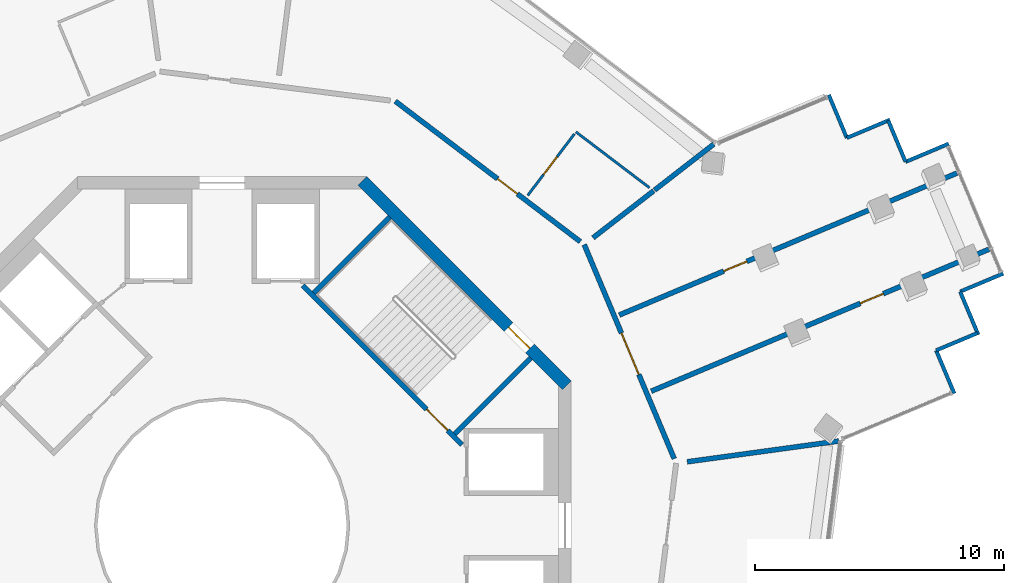
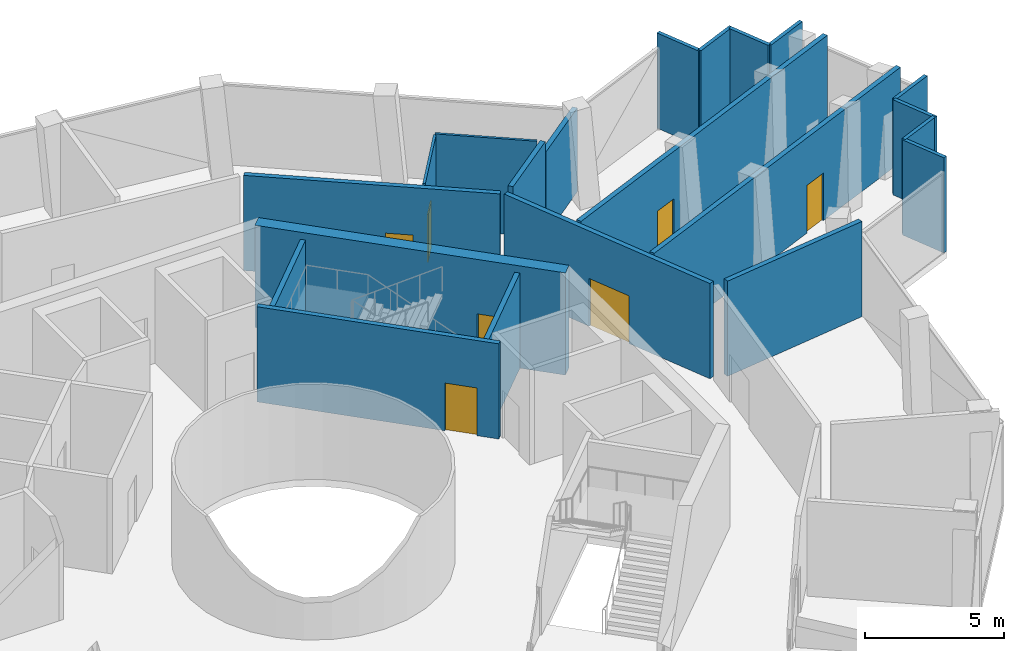
# One storey, part 15 of 18: 21 walls, 7 doors, 7 openings.
"""IFC4 building model written with IfcOpenShell, lengths in metres."""

from ifc_helpers import new_model, si_unit, direction, frame, frame_2d, origin, place, context, subcontext, project, spatial, rectangle, extrude, material, layer, layer_set, type_object, element, fill, save


model = new_model("IFC4")

# Units and contexts
model_context = context("Model", 3, precision=1e-05, world=origin(), true_north=direction((0.0, 1.0)))
body_context = subcontext(model_context, "Body", "Model", "MODEL_VIEW")
ifc_project = project(units=[si_unit("LENGTHUNIT", "METRE"), si_unit("AREAUNIT", "SQUARE_METRE"), si_unit("VOLUMEUNIT", "CUBIC_METRE"), si_unit("PLANEANGLEUNIT", "RADIAN"), si_unit("MASSUNIT", "GRAM", prefix="KILO")], contexts=[model_context])

# Site, building, storey
site_placement = place(None, origin())
site = spatial("IfcSite", under=ifc_project, at=site_placement, CompositionType="ELEMENT")
building_placement = place(site_placement, origin())
building = spatial("IfcBuilding", under=site, at=building_placement, Name="Verdalira Terraces Hotel", CompositionType="ELEMENT")
storey_placement = place(building_placement, frame((0.0, 0.0, 248.0)))
storey = spatial("IfcBuildingStorey", under=building, at=storey_placement, Name="L61", CompositionType="ELEMENT", Elevation=248.0)

# Wall, opening, door
ifc_material_1 = material(Name="Moisture-resistant gypsum board partition")
ifc_layer_1 = layer(ifc_material_1, 0.10009765625)
ifc_layer_set_1 = layer_set([ifc_layer_1], Name="Bathroom partition 100 mm")
wall_type_1 = type_object("IfcWallType", Name="Bathroom partition 100 mm", PredefinedType="PARTITIONING", material=ifc_layer_set_1)
wall_1_placement = place(storey_placement, frame((14.132324, 15.710449, 0.0), z_axis=(0.0, 0.0, 1.0), x_axis=(-0.604551951, -0.796565715, 0.0)))
wall_1 = element("IfcWall", 1, at=wall_1_placement, inside=storey, type_object=wall_type_1, Name="Bathroom partition", PredefinedType="PARTITIONING", context=body_context, shape_type="SweptSolid", body=[
    extrude(rectangle(XDim=3.099854, YDim=0.100098, at=frame_2d((1.549805, 0.0))), origin(), (0.0, 0.0, 1.0), 4.189941),
])
opening_1_placement = place(wall_1_placement, frame((1.149902, 0.0, 0.0)))
opening_1 = element("IfcOpeningElement", 2, at=opening_1_placement, cuts=wall_1, Name="Opening L61-119", PredefinedType="OPENING", context=body_context, shape_type="SweptSolid", body=[
    extrude(rectangle(XDim=0.899902, YDim=2.100098, at=frame_2d((0.449951, 1.050049))), frame((0.0, 0.060059, 0.0), z_axis=(0.0, -1.0, 0.0), x_axis=(1.0, 0.0, 0.0)), (0.0, 0.0, 1.0), 0.120117),
])
ifc_material_2 = material(Name="Timber door", Category="wood")
door_type_1 = type_object("IfcDoorType", Name="Bathroom door 900 x 2100", OperationType="NOTDEFINED", PredefinedType="DOOR", material=ifc_material_2)
door_1_placement = place(opening_1_placement, origin())
door_1 = element("IfcDoor", 3, at=door_1_placement, inside=storey, type_object=door_type_1, Name="Bathroom door 6109", OperationType="SINGLE_SWING_LEFT", OverallHeight=2.10009765625, OverallWidth=0.89990234375, PredefinedType="DOOR", context=body_context, shape_type="SweptSolid", body=[
    extrude(rectangle(XDim=0.899902, YDim=2.100098, at=frame_2d((0.449951, 1.050049))), frame((0.0, 0.024902, 0.0), z_axis=(0.0, -1.0, 0.0), x_axis=(1.0, 0.0, 0.0)), (0.0, 0.0, 1.0), 0.050049),
])
fill(opening_1, door_1)

# Wall
wall_2_placement = place(storey_placement, frame((14.192871, 15.790283, 0.0), z_axis=(0.0, 0.0, 1.0), x_axis=(0.796530371, -0.604598518, 0.0)))
element("IfcWall", 4, at=wall_2_placement, inside=storey, type_object=wall_type_1, Name="Bathroom partition", PredefinedType="PARTITIONING", context=body_context, shape_type="SweptSolid", body=[
    extrude(rectangle(XDim=3.704102, YDim=0.100098, at=frame_2d((1.852051, 0.0))), origin(), (0.0, 0.0, 1.0), 4.189941),
])

# Wall, opening, door
ifc_material_3 = material(Name="Concrete C50", Category="concrete")
ifc_layer_2 = layer(ifc_material_3, 0.199951171875)
ifc_layer_set_2 = layer_set([ifc_layer_2], Name="Core RC wall 200 C50")
wall_type_2 = type_object("IfcWallType", Name="Core RC wall 200 C50", PredefinedType="SOLIDWALL", material=ifc_layer_set_2)
wall_3_placement = place(storey_placement, frame((3.23999, 9.629395, 0.0), z_axis=(0.0, 0.0, 1.0), x_axis=(0.707106781, -0.707106781, 0.0)))
wall_3 = element("IfcWall", 5, at=wall_3_placement, inside=storey, type_object=wall_type_2, Name="L61 stair ST1 front wall", PredefinedType="SOLIDWALL", context=body_context, shape_type="SweptSolid", body=[
    extrude(rectangle(XDim=9.035889, YDim=0.199951, at=frame_2d((4.518066, 0.0))), origin(), (0.0, 0.0, 1.0), 4.189941),
])
opening_2_placement = place(wall_3_placement, frame((7.017822, 0.0, 0.0)))
opening_2 = element("IfcOpeningElement", 6, at=opening_2_placement, cuts=wall_3, Name="Opening L61-810", PredefinedType="OPENING", context=body_context, shape_type="SweptSolid", body=[
    extrude(rectangle(XDim=1.199951, YDim=2.100098, at=frame_2d((0.600098, 1.050049))), frame((0.0, 0.109863, 0.0), z_axis=(0.0, -1.0, 0.0), x_axis=(1.0, 0.0, 0.0)), (0.0, 0.0, 1.0), 0.219971),
])
ifc_material_4 = material(Name="Steel fire door", Category="steel")
door_type_2 = type_object("IfcDoorType", Name="Stair door 1200 x 2100", OperationType="NOTDEFINED", PredefinedType="DOOR", material=ifc_material_4)
door_2_placement = place(opening_2_placement, origin())
door_2 = element("IfcDoor", 7, at=door_2_placement, inside=storey, type_object=door_type_2, Name="Stair door ST1 L61", OperationType="SINGLE_SWING_RIGHT", OverallHeight=2.10009765625, OverallWidth=1.199951171875, PredefinedType="DOOR", context=body_context, shape_type="SweptSolid", body=[
    extrude(rectangle(XDim=1.199951, YDim=2.100098, at=frame_2d((0.600098, 1.050049))), frame((0.0, 0.024902, 0.0), z_axis=(0.0, -1.0, 0.0), x_axis=(1.0, 0.0, 0.0)), (0.0, 0.0, 1.0), 0.050049),
])
fill(opening_2, door_2)

# Walls
for number, where, z_axis, x_axis, name in (
    (8, (9.33374, 3.677002, 0.0), (0.0, 0.0, 1.0), (0.707135168, 0.707078393, 0.0), "L61 stair ST1 end wall 1"),
    (9, (3.677002, 9.33374, 0.0), (0.0, 0.0, 1.0), (0.707078393, 0.707135168, 0.0), "L61 stair ST1 end wall 2"),
):
    element("IfcWall", number, at=place(storey_placement, frame(where, z_axis=z_axis, x_axis=x_axis)), inside=storey, type_object=wall_type_2, Name=name, PredefinedType="SOLIDWALL", context=body_context, shape_type="SweptSolid", body=[
        extrude(rectangle(XDim=4.300049, YDim=0.199951, at=frame_2d((2.149902, 0.0))), origin(), (0.0, 0.0, 1.0), 4.189941),
    ])

# Wall, opening, door
ifc_material_5 = material(Name="Concrete C50", Category="concrete")
ifc_layer_3 = layer(ifc_material_5, 0.5)
ifc_layer_set_3 = layer_set([ifc_layer_3], Name="Core wall 500 C50")
wall_type_3 = type_object("IfcWallType", Name="Core wall 500 C50", PredefinedType="SHEAR", material=ifc_layer_set_3)
wall_4_placement = place(storey_placement, frame((13.823242, 5.622314, 0.0), z_axis=(0.0, 0.0, 1.0), x_axis=(-0.707106781, 0.707106781, 0.0)))
wall_4 = element("IfcWall", 10, at=wall_4_placement, inside=storey, type_object=wall_type_3, Name="Core wall CW-L61-2", PredefinedType="SHEAR", context=body_context, shape_type="SweptSolid", body=[
    extrude(rectangle(XDim=11.5979, YDim=0.5, at=frame_2d((5.798828, 0.0))), origin(), (0.0, 0.0, 1.0), 4.5),
])
opening_3_placement = place(wall_4_placement, frame((2.099121, 0.0, 0.0)))
opening_3 = element("IfcOpeningElement", 11, at=opening_3_placement, cuts=wall_4, Name="Opening L61-816", PredefinedType="OPENING", context=body_context, shape_type="SweptSolid", body=[
    extrude(rectangle(XDim=1.199951, YDim=2.100098, at=frame_2d((0.600098, 1.050049))), frame((0.0, 0.26001, 0.0), z_axis=(0.0, -1.0, 0.0), x_axis=(1.0, 0.0, 0.0)), (0.0, 0.0, 1.0), 0.52002),
])
door_3_placement = place(opening_3_placement, origin())
door_3 = element("IfcDoor", 12, at=door_3_placement, inside=storey, type_object=door_type_2, Name="Stair exit door ST1 L61", OperationType="SINGLE_SWING_LEFT", OverallHeight=2.10009765625, OverallWidth=1.199951171875, PredefinedType="DOOR", context=body_context, shape_type="SweptSolid", body=[
    extrude(rectangle(XDim=1.199951, YDim=2.100098, at=frame_2d((0.600098, 1.050049))), frame((0.0, 0.024902, 0.0), z_axis=(0.0, -1.0, 0.0), x_axis=(1.0, 0.0, 0.0)), (0.0, 0.0, 1.0), 0.050049),
])
fill(opening_3, door_3)

# Walls
ifc_material_6 = material(Name="Fire-rated gypsum board wall")
ifc_layer_4 = layer(ifc_material_6, 0.199951171875)
ifc_layer_set_4 = layer_set([ifc_layer_4], Name="Demising wall 200 mm")
wall_type_4 = type_object("IfcWallType", Name="Demising wall 200 mm", PredefinedType="SOLIDWALL", material=ifc_layer_set_4)
wall_5_placement = place(storey_placement, frame((14.880127, 11.542236, 0.0), z_axis=(0.0, 0.0, 1.0), x_axis=(0.790176641, 0.612879169, 0.0)))
element("IfcWall", 13, at=wall_5_placement, inside=storey, type_object=wall_type_4, Name="Demising wall", PredefinedType="SOLIDWALL", context=body_context, shape_type="SweptSolid", body=[
    extrude(rectangle(XDim=3.074951, YDim=0.199951, at=frame_2d((1.537598, 0.0))), origin(), (0.0, 0.0, 1.0), 4.189941),
])
wall_6_placement = place(storey_placement, frame((24.733154, 3.387939, 0.0), z_axis=(0.0, 0.0, 1.0), x_axis=(-0.990752235, -0.135683489, 0.0)))
element("IfcWall", 14, at=wall_6_placement, inside=storey, type_object=wall_type_4, Name="Demising wall", PredefinedType="SOLIDWALL", context=body_context, shape_type="SweptSolid", body=[
    extrude(rectangle(XDim=6.13208, YDim=0.199951, at=frame_2d((3.065918, 0.0))), origin(), (0.0, 0.0, 1.0), 4.189941),
])

# Wall, opening, door
wall_7_placement = place(storey_placement, frame((15.930908, 8.443848, 0.0), z_axis=(0.0, 0.0, 1.0), x_axis=(0.921865349, 0.387510359, 0.0)))
wall_7 = element("IfcWall", 15, at=wall_7_placement, inside=storey, type_object=wall_type_4, Name="Demising wall", PredefinedType="SOLIDWALL", context=body_context, shape_type="SweptSolid", body=[
    extrude(rectangle(XDim=14.697266, YDim=0.199951, at=frame_2d((7.348633, 0.0))), origin(), (0.0, 0.0, 1.0), 4.189941),
])
opening_4_placement = place(wall_7_placement, frame((4.550049, 0.0, 0.0)))
opening_4 = element("IfcOpeningElement", 16, at=opening_4_placement, cuts=wall_7, Name="Opening L61-117", PredefinedType="OPENING", context=body_context, shape_type="SweptSolid", body=[
    extrude(rectangle(XDim=1.0, YDim=2.100098, at=frame_2d((0.5, 1.050049))), frame((0.0, 0.109863, 0.0), z_axis=(0.0, -1.0, 0.0), x_axis=(1.0, 0.0, 0.0)), (0.0, 0.0, 1.0), 0.219971),
])
ifc_material_7 = material(Name="Timber fire door", Category="wood")
door_type_3 = type_object("IfcDoorType", Name="Public room door 1000 x 2100", OperationType="NOTDEFINED", PredefinedType="DOOR", material=ifc_material_7)
door_4_placement = place(opening_4_placement, origin())
door_4 = element("IfcDoor", 17, at=door_4_placement, inside=storey, type_object=door_type_3, Name="Public room door 6108", OperationType="SINGLE_SWING_LEFT", OverallHeight=2.10009765625, OverallWidth=1.0, PredefinedType="DOOR", context=body_context, shape_type="SweptSolid", body=[
    extrude(rectangle(XDim=1.0, YDim=2.100098, at=frame_2d((0.5, 1.050049))), frame((0.0, 0.024902, 0.0), z_axis=(0.0, -1.0, 0.0), x_axis=(1.0, 0.0, 0.0)), (0.0, 0.0, 1.0), 0.050049),
])
fill(opening_4, door_4)

wall_8_placement = place(storey_placement, frame((30.76416, 11.083496, 0.0), z_axis=(0.0, 0.0, 1.0), x_axis=(-0.921862855, -0.387516293, 0.0)))
wall_8 = element("IfcWall", 18, at=wall_8_placement, inside=storey, type_object=wall_type_4, Name="Demising wall", PredefinedType="SOLIDWALL", context=body_context, shape_type="SweptSolid", body=[
    extrude(rectangle(XDim=14.697021, YDim=0.199951, at=frame_2d((7.348633, 0.0))), origin(), (0.0, 0.0, 1.0), 4.189941),
])
opening_5_placement = place(wall_8_placement, frame((4.600098, 0.0, 0.0)))
opening_5 = element("IfcOpeningElement", 19, at=opening_5_placement, cuts=wall_8, Name="Opening L61-116", PredefinedType="OPENING", context=body_context, shape_type="SweptSolid", body=[
    extrude(rectangle(XDim=1.0, YDim=2.100098, at=frame_2d((0.5, 1.050049))), frame((0.0, 0.109863, 0.0), z_axis=(0.0, -1.0, 0.0), x_axis=(1.0, 0.0, 0.0)), (0.0, 0.0, 1.0), 0.219971),
])
door_5_placement = place(opening_5_placement, origin())
door_5 = element("IfcDoor", 20, at=door_5_placement, inside=storey, type_object=door_type_3, Name="Public room door 6108", OperationType="SINGLE_SWING_LEFT", OverallHeight=2.10009765625, OverallWidth=1.0, PredefinedType="DOOR", context=body_context, shape_type="SweptSolid", body=[
    extrude(rectangle(XDim=1.0, YDim=2.100098, at=frame_2d((0.5, 1.050049))), frame((0.0, 0.024902, 0.0), z_axis=(0.0, -1.0, 0.0), x_axis=(1.0, 0.0, 0.0)), (0.0, 0.0, 1.0), 0.050049),
])
fill(opening_5, door_5)

# Wall
ifc_material_8 = material(Name="Fire-rated gypsum board wall")
ifc_layer_5 = layer(ifc_material_8, 0.199951171875)
ifc_layer_set_5 = layer_set([ifc_layer_5], Name="Demising wall 200 mm to beam soffit")
wall_type_5 = type_object("IfcWallType", Name="Demising wall 200 mm to beam soffit", PredefinedType="SOLIDWALL", material=ifc_layer_set_5)
wall_9_placement = place(storey_placement, frame((17.345947, 13.454834, 0.0), z_axis=(0.0, 0.0, 1.0), x_axis=(0.790137275, 0.61292992, 0.0)))
element("IfcWall", 21, at=wall_9_placement, inside=storey, type_object=wall_type_5, Name="Demising wall", PredefinedType="SOLIDWALL", context=body_context, shape_type="SweptSolid", body=[
    extrude(rectangle(XDim=3.011719, YDim=0.199951, at=frame_2d((1.505859, 0.0))), origin(), (0.0, 0.0, 1.0), 3.689941),
])

# Wall, opening, door
ifc_material_9 = material(Name="Fire-rated gypsum board wall")
ifc_layer_6 = layer(ifc_material_9, 0.199951171875)
ifc_layer_set_6 = layer_set([ifc_layer_6], Name="Guest corridor wall 200 mm")
wall_type_6 = type_object("IfcWallType", Name="Guest corridor wall 200 mm", PredefinedType="SOLIDWALL", material=ifc_layer_set_6)
wall_10_placement = place(storey_placement, frame((6.947021, 17.021484, 0.0), z_axis=(0.0, 0.0, 1.0), x_axis=(0.796533725, -0.604594099, 0.0)))
wall_10 = element("IfcWall", 22, at=wall_10_placement, inside=storey, type_object=wall_type_6, Name="Guest corridor wall", PredefinedType="SOLIDWALL", context=body_context, shape_type="SweptSolid", body=[
    extrude(rectangle(XDim=9.315918, YDim=0.199951, at=frame_2d((4.657959, 0.0))), origin(), (0.0, 0.0, 1.0), 4.189941),
])
opening_6_placement = place(wall_10_placement, frame((5.149902, 0.0, 0.0)))
opening_6 = element("IfcOpeningElement", 23, at=opening_6_placement, cuts=wall_10, Name="Opening L61-118", PredefinedType="OPENING", context=body_context, shape_type="SweptSolid", body=[
    extrude(rectangle(XDim=1.0, YDim=2.100098, at=frame_2d((0.5, 1.050049))), frame((0.0, 0.109863, 0.0), z_axis=(0.0, -1.0, 0.0), x_axis=(1.0, 0.0, 0.0)), (0.0, 0.0, 1.0), 0.219971),
])
ifc_material_10 = material(Name="Timber fire door", Category="wood")
door_type_4 = type_object("IfcDoorType", Name="Guest entry door 1000 x 2100", OperationType="NOTDEFINED", PredefinedType="DOOR", material=ifc_material_10)
door_6_placement = place(opening_6_placement, origin())
door_6 = element("IfcDoor", 24, at=door_6_placement, inside=storey, type_object=door_type_4, Name="Guest entry door 6109", OperationType="SINGLE_SWING_LEFT", OverallHeight=2.10009765625, OverallWidth=1.0, PredefinedType="DOOR", context=body_context, shape_type="SweptSolid", body=[
    extrude(rectangle(XDim=1.0, YDim=2.100098, at=frame_2d((0.5, 1.050049))), frame((0.0, 0.024902, 0.0), z_axis=(0.0, -1.0, 0.0), x_axis=(1.0, 0.0, 0.0)), (0.0, 0.0, 1.0), 0.050049),
])
fill(opening_6, door_6)

wall_11_placement = place(storey_placement, frame((14.526855, 11.268311, 0.0), z_axis=(0.0, 0.0, 1.0), x_axis=(0.387508677, -0.921866056, 0.0)))
wall_11 = element("IfcWall", 25, at=wall_11_placement, inside=storey, type_object=wall_type_6, Name="Guest corridor wall", PredefinedType="SOLIDWALL", context=body_context, shape_type="SweptSolid", body=[
    extrude(rectangle(XDim=9.316895, YDim=0.199951, at=frame_2d((4.658447, 0.0))), origin(), (0.0, 0.0, 1.0), 4.189941),
])
opening_7_placement = place(wall_11_placement, frame((3.8479, 0.0, 0.0)))
opening_7 = element("IfcOpeningElement", 26, at=opening_7_placement, cuts=wall_11, Name="Opening L61-115", PredefinedType="OPENING", context=body_context, shape_type="SweptSolid", body=[
    extrude(rectangle(XDim=1.800049, YDim=2.100098, at=frame_2d((0.899902, 1.050049))), frame((0.0, 0.109863, 0.0), z_axis=(0.0, -1.0, 0.0), x_axis=(1.0, 0.0, 0.0)), (0.0, 0.0, 1.0), 0.219971),
])
ifc_material_11 = material(Name="Timber fire door", Category="wood")
door_type_5 = type_object("IfcDoorType", Name="Public room double door 1800 x 2100", OperationType="NOTDEFINED", PredefinedType="DOOR", material=ifc_material_11)
door_7_placement = place(opening_7_placement, origin())
door_7 = element("IfcDoor", 27, at=door_7_placement, inside=storey, type_object=door_type_5, Name="Public room double door 6108", OperationType="DOUBLE_DOOR_SINGLE_SWING", OverallHeight=2.10009765625, OverallWidth=1.800048828125, PredefinedType="DOOR", context=body_context, shape_type="SweptSolid", body=[
    extrude(rectangle(XDim=1.800049, YDim=2.100098, at=frame_2d((0.899902, 1.050049))), frame((0.0, 0.024902, 0.0), z_axis=(0.0, -1.0, 0.0), x_axis=(1.0, 0.0, 0.0)), (0.0, 0.0, 1.0), 0.050049),
])
fill(opening_7, door_7)

# Walls
ifc_material_12 = material(Name="Terracotta cladding", Category="masonry")
ifc_layer_7 = layer(ifc_material_12, 0.14990234375)
ifc_layer_set_7 = layer_set([ifc_layer_7], Name="Terracotta clad wall 150")
wall_type_7 = type_object("IfcWallType", Name="Terracotta clad wall 150", PredefinedType="SOLIDWALL", material=ifc_layer_set_7)
wall_12_placement = place(storey_placement, frame((29.373047, 5.296387, 0.0), z_axis=(0.0, 0.0, 1.0), x_axis=(-0.387498108, 0.921870499, 0.0)))
element("IfcWall", 28, at=wall_12_placement, inside=storey, type_object=wall_type_7, Name="Terracotta cladding wall", PredefinedType="SOLIDWALL", context=body_context, shape_type="SweptSolid", body=[
    extrude(rectangle(XDim=1.875, YDim=0.149902, at=frame_2d((0.9375, 0.0))), origin(), (0.0, 0.0, 1.0), 4.189941),
])
wall_13_placement = place(storey_placement, frame((28.646484, 7.024902, 0.0), z_axis=(0.0, 0.0, 1.0), x_axis=(0.921872634, 0.387493028, 0.0)))
element("IfcWall", 29, at=wall_13_placement, inside=storey, type_object=wall_type_7, Name="Terracotta cladding wall", PredefinedType="SOLIDWALL", context=body_context, shape_type="SweptSolid", body=[
    extrude(rectangle(XDim=1.800049, YDim=0.149902, at=frame_2d((0.899902, 0.0))), origin(), (0.0, 0.0, 1.0), 4.189941),
])
for number, where, z_axis, x_axis, name in (
    (30, (30.334961, 7.65332, 0.0), (0.0, 0.0, 1.0), (-0.387498108, 0.921870499, 0.0), "Terracotta cladding wall"),
    (31, (29.608398, 9.381836, 0.0), (0.0, 0.0, 1.0), (0.921870499, 0.387498108, 0.0), "Terracotta cladding wall"),
    (32, (29.147461, 15.316895, 0.0), (0.0, 0.0, 1.0), (-0.921870499, -0.387498108, 0.0), "Terracotta cladding wall"),
):
    element("IfcWall", number, at=place(storey_placement, frame(where, z_axis=z_axis, x_axis=x_axis)), inside=storey, type_object=wall_type_7, Name=name, PredefinedType="SOLIDWALL", context=body_context, shape_type="SweptSolid", body=[
        extrude(rectangle(XDim=1.875, YDim=0.149902, at=frame_2d((0.9375, 0.0))), origin(), (0.0, 0.0, 1.0), 4.189941),
    ])
wall_14_placement = place(storey_placement, frame((27.418945, 14.590332, 0.0), z_axis=(0.0, 0.0, 1.0), x_axis=(-0.387541483, 0.921852265, 0.0)))
element("IfcWall", 33, at=wall_14_placement, inside=storey, type_object=wall_type_7, Name="Terracotta cladding wall", PredefinedType="SOLIDWALL", context=body_context, shape_type="SweptSolid", body=[
    extrude(rectangle(XDim=1.799805, YDim=0.149902, at=frame_2d((0.899902, 0.0))), origin(), (0.0, 0.0, 1.0), 4.189941),
])
for number, where, z_axis, x_axis, name in (
    (34, (26.790527, 16.278809, 0.0), (0.0, 0.0, 1.0), (-0.921823981, -0.387608756, 0.0), "Terracotta cladding wall"),
    (35, (25.062012, 15.552002, 0.0), (0.0, 0.0, 1.0), (-0.387498108, 0.921870499, 0.0), "Terracotta cladding wall"),
):
    element("IfcWall", number, at=place(storey_placement, frame(where, z_axis=z_axis, x_axis=x_axis)), inside=storey, type_object=wall_type_7, Name=name, PredefinedType="SOLIDWALL", context=body_context, shape_type="SweptSolid", body=[
        extrude(rectangle(XDim=1.875, YDim=0.149902, at=frame_2d((0.9375, 0.0))), origin(), (0.0, 0.0, 1.0), 4.189941),
    ])

save(model, "model.ifc")
